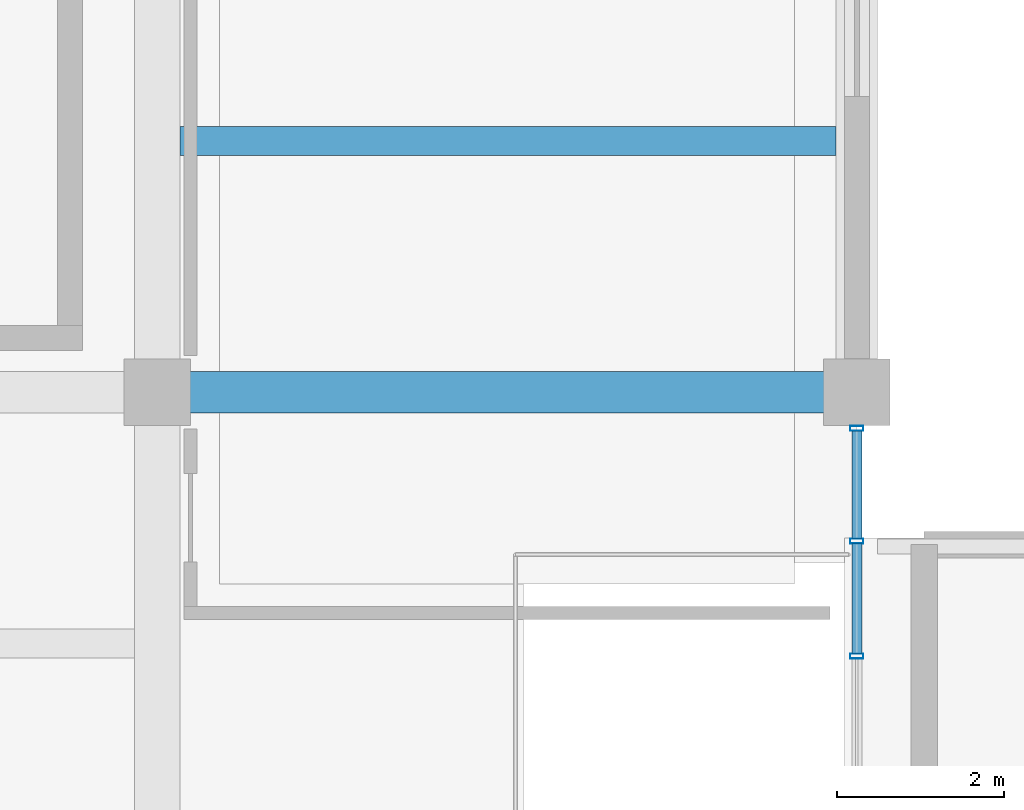
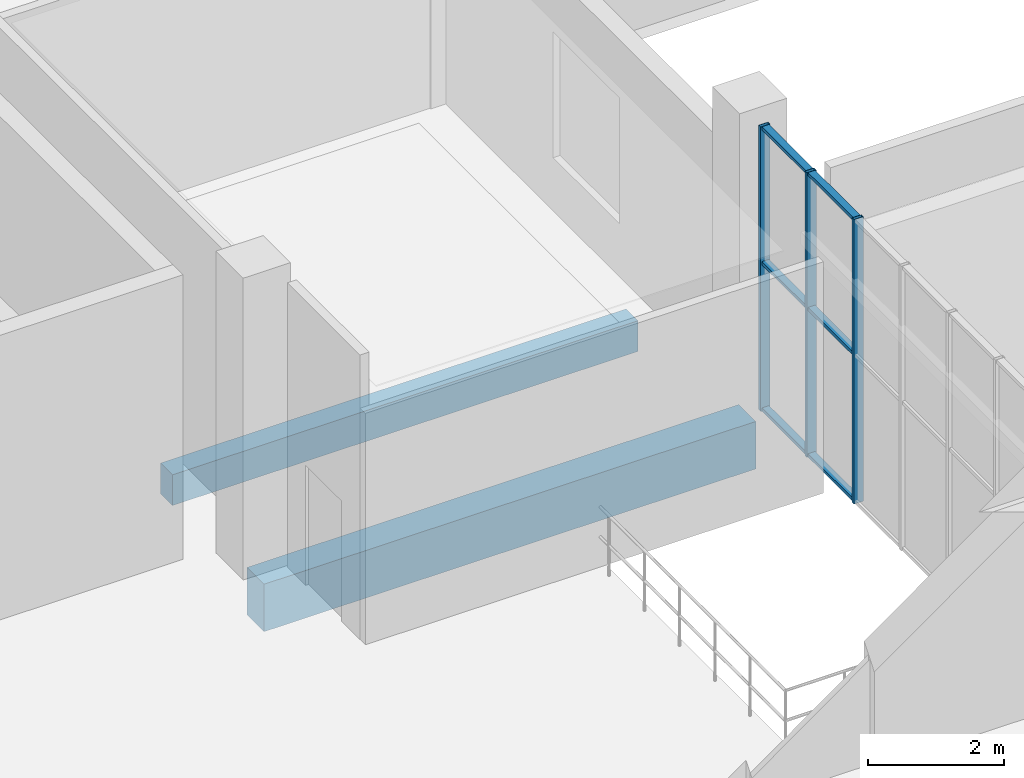
# One storey, part 24 of 91: 9 members, 2 beams, 1 element without a shape of its own.
"""IFC4 building model written with IfcOpenShell, lengths in metres."""

from ifc_helpers import new_model, si_unit, direction, frame, origin, origin_2d, place, context, subcontext, project, spatial, rectangle, hollow_rectangle, extrude, material, material_profile, profile_set, type_object, element, aggregate, save


model = new_model("IFC4")

# Units and contexts
model_context = context("Model", 3, precision=1e-05, world=origin(), true_north=direction((0.0, 1.0)))
body_context = subcontext(model_context, "Body", "Model", "MODEL_VIEW")
ifc_project = project(units=[si_unit("LENGTHUNIT", "METRE"), si_unit("AREAUNIT", "SQUARE_METRE"), si_unit("VOLUMEUNIT", "CUBIC_METRE"), si_unit("PLANEANGLEUNIT", "RADIAN"), si_unit("MASSUNIT", "GRAM", prefix="KILO")], contexts=[model_context])

# Site, building, storey
site_placement = place(None, origin())
site = spatial("IfcSite", under=ifc_project, at=site_placement, CompositionType="ELEMENT")
building_placement = place(site_placement, origin())
building = spatial("IfcBuilding", under=site, at=building_placement, Name="Khurvash Pelagic Aquarium", CompositionType="ELEMENT")
storey_placement = place(building_placement, origin())
storey = spatial("IfcBuildingStorey", under=building, at=storey_placement, Name="L00", CompositionType="ELEMENT", Elevation=0.0)

# Beam
ifc_material_1 = material(Name="Concrete C40/50", Category="concrete")
ifc_material_profile_1 = material_profile(ifc_material_1, rectangle(XDim=0.5, YDim=0.85009765625, at=origin_2d()), Name="RC500X850")
ifc_profile_set_1 = profile_set([ifc_material_profile_1], Name="Concrete C40/50")
beam_type_1 = type_object("IfcBeamType", Name="BM-03", PredefinedType="BEAM", material=ifc_profile_set_1)
beam_1_placement = place(storey_placement, frame((100.840087890625, 11.64990234375, -0.7451171875), z_axis=(1.0, 0.0, 0.0), x_axis=(0.0, 1.0, 0.0)))
element("IfcBeam", 1, at=beam_1_placement, inside=storey, type_object=beam_type_1, Name="L00 Primary Girder BM-03 00020", PredefinedType="BEAM", context=body_context, shape_type="SweptSolid", body=[
    extrude(rectangle(XDim=0.5, YDim=0.85009765625, at=origin_2d()), origin(), (0.0, 0.0, 1.0), 8.31982421875),
])

# Curtain wall, members
ifc_material_2 = material(Name="Anodised aluminium and low-E laminated glass", Category="aluminium")
curtain_wall_type = type_object("IfcCurtainWallType", Name="CW-05", PredefinedType="USERDEFINED", material=ifc_material_2)
curtain_wall_placement = place(storey_placement, origin())
curtain_wall = element("IfcCurtainWall", 2, at=curtain_wall_placement, inside=storey, type_object=curtain_wall_type, Name="L00 Facade Unitised Curtain Wall CW-05 0059", ObjectType="UNITISED CURTAIN WALL", PredefinedType="USERDEFINED")
ifc_material_3 = material(Name="Extruded aluminium AW-6063-T6", Category="aluminium")
ifc_material_profile_2 = material_profile(ifc_material_3, hollow_rectangle(XDim=0.06005859375, YDim=0.159912109375, WallThickness=0.00390625, at=origin_2d()), Name="CWM60X160X4")
ifc_profile_set_2 = profile_set([ifc_material_profile_2], Name="Extruded aluminium AW-6063-T6")
member_type_1 = type_object("IfcMemberType", Name="CM-02", PredefinedType="MULLION", material=ifc_profile_set_2)
member_1_placement = place(storey_placement, frame((109.199951171875, 8.481689453125, 0.0), z_axis=(0.0, 0.0, 1.0), x_axis=(0.0, 1.0, 0.0)))
member_1 = element("IfcMember", 3, at=member_1_placement, type_object=member_type_1, Name="CW-05 mullion 5", PredefinedType="MULLION", context=body_context, shape_type="SweptSolid", body=[
    extrude(hollow_rectangle(XDim=0.06005859375, YDim=0.159912109375, WallThickness=0.00390625, at=origin_2d()), origin(), (0.0, 0.0, 1.0), 5.090087890625),
])
member_2_placement = place(storey_placement, frame((109.199951171875, 9.86328125, 0.0), z_axis=(0.0, 0.0, 1.0), x_axis=(0.0, 1.0, 0.0)))
member_2 = element("IfcMember", 4, at=member_2_placement, type_object=member_type_1, Name="CW-05 mullion 6", PredefinedType="MULLION", context=body_context, shape_type="SweptSolid", body=[
    extrude(hollow_rectangle(XDim=0.06005859375, YDim=0.159912109375, WallThickness=0.00390625, at=origin_2d()), origin(), (0.0, 0.0, 1.0), 5.090087890625),
])
member_3_placement = place(storey_placement, frame((109.199951171875, 11.215087890625, 0.0), z_axis=(0.0, 0.0, 1.0), x_axis=(0.0, 1.0, 0.0)))
member_3 = element("IfcMember", 5, at=member_3_placement, type_object=member_type_1, Name="CW-05 mullion 7", PredefinedType="MULLION", context=body_context, shape_type="SweptSolid", body=[
    extrude(hollow_rectangle(XDim=0.06005859375, YDim=0.159912109375, WallThickness=0.00390625, at=origin_2d()), origin(), (0.0, 0.0, 1.0), 5.090087890625),
])
ifc_material_profile_3 = material_profile(ifc_material_3, hollow_rectangle(XDim=0.1201171875, YDim=0.06005859375, WallThickness=0.00390625, at=origin_2d()), Name="CWT120X60X4")
ifc_profile_set_3 = profile_set([ifc_material_profile_3], Name="Extruded aluminium AW-6063-T6")
member_type_2 = type_object("IfcMemberType", Name="CT-02", PredefinedType="USERDEFINED", material=ifc_profile_set_3)
member_4_placement = place(storey_placement, frame((109.199951171875, 8.51171875, 0.030029296875), z_axis=(0.0, 1.0, 0.0), x_axis=(-1.0, 0.0, 0.0)))
member_4 = element("IfcMember", 6, at=member_4_placement, type_object=member_type_2, Name="CW-05 transom 5.1", ObjectType="TRANSOM", PredefinedType="USERDEFINED", context=body_context, shape_type="SweptSolid", body=[
    extrude(hollow_rectangle(XDim=0.1201171875, YDim=0.06005859375, WallThickness=0.00390625, at=origin_2d()), origin(), (0.0, 0.0, 1.0), 1.321533203125),
])
member_5_placement = place(storey_placement, frame((109.199951171875, 8.51171875, 2.64697265625), z_axis=(0.0, 1.0, 0.0), x_axis=(-1.0, 0.0, 0.0)))
member_5 = element("IfcMember", 7, at=member_5_placement, type_object=member_type_2, Name="CW-05 transom 5.2", ObjectType="TRANSOM", PredefinedType="USERDEFINED", context=body_context, shape_type="SweptSolid", body=[
    extrude(hollow_rectangle(XDim=0.1201171875, YDim=0.06005859375, WallThickness=0.00390625, at=origin_2d()), origin(), (0.0, 0.0, 1.0), 1.321533203125),
])
member_6_placement = place(storey_placement, frame((109.199951171875, 8.51171875, 5.06005859375), z_axis=(0.0, 1.0, 0.0), x_axis=(-1.0, 0.0, 0.0)))
member_6 = element("IfcMember", 8, at=member_6_placement, type_object=member_type_2, Name="CW-05 transom 5.3", ObjectType="TRANSOM", PredefinedType="USERDEFINED", context=body_context, shape_type="SweptSolid", body=[
    extrude(hollow_rectangle(XDim=0.1201171875, YDim=0.06005859375, WallThickness=0.00390625, at=origin_2d()), origin(), (0.0, 0.0, 1.0), 1.321533203125),
])
member_7_placement = place(storey_placement, frame((109.199951171875, 9.893310546875, 0.030029296875), z_axis=(0.0, 1.0, 0.0), x_axis=(-1.0, 0.0, 0.0)))
member_7 = element("IfcMember", 9, at=member_7_placement, type_object=member_type_2, Name="CW-05 transom 6.1", ObjectType="TRANSOM", PredefinedType="USERDEFINED", context=body_context, shape_type="SweptSolid", body=[
    extrude(hollow_rectangle(XDim=0.1201171875, YDim=0.06005859375, WallThickness=0.00390625, at=origin_2d()), origin(), (0.0, 0.0, 1.0), 1.291748046875),
])
member_8_placement = place(storey_placement, frame((109.199951171875, 9.893310546875, 2.64697265625), z_axis=(0.0, 1.0, 0.0), x_axis=(-1.0, 0.0, 0.0)))
member_8 = element("IfcMember", 10, at=member_8_placement, type_object=member_type_2, Name="CW-05 transom 6.2", ObjectType="TRANSOM", PredefinedType="USERDEFINED", context=body_context, shape_type="SweptSolid", body=[
    extrude(hollow_rectangle(XDim=0.1201171875, YDim=0.06005859375, WallThickness=0.00390625, at=origin_2d()), origin(), (0.0, 0.0, 1.0), 1.291748046875),
])
member_9_placement = place(storey_placement, frame((109.199951171875, 9.893310546875, 5.06005859375), z_axis=(0.0, 1.0, 0.0), x_axis=(-1.0, 0.0, 0.0)))
member_9 = element("IfcMember", 11, at=member_9_placement, type_object=member_type_2, Name="CW-05 transom 6.3", ObjectType="TRANSOM", PredefinedType="USERDEFINED", context=body_context, shape_type="SweptSolid", body=[
    extrude(hollow_rectangle(XDim=0.1201171875, YDim=0.06005859375, WallThickness=0.00390625, at=origin_2d()), origin(), (0.0, 0.0, 1.0), 1.291748046875),
])
aggregate(curtain_wall, [member_1, member_2, member_3, member_4, member_5, member_6, member_7, member_8, member_9])

# Beam
ifc_material_4 = material(Name="Concrete C35/45", Category="concrete")
ifc_material_profile_4 = material_profile(ifc_material_4, rectangle(XDim=0.35009765625, YDim=0.550048828125, at=origin_2d()), Name="RC350X550")
ifc_profile_set_4 = profile_set([ifc_material_profile_4], Name="Concrete C35/45")
beam_type_2 = type_object("IfcBeamType", Name="JS-01", PredefinedType="JOIST", material=ifc_profile_set_4)
beam_2_placement = place(storey_placement, frame((101.074951171875, 14.6669921875, -0.594970703125), z_axis=(1.0, 0.0, 0.0), x_axis=(0.0, 1.0, 0.0)))
element("IfcBeam", 12, at=beam_2_placement, inside=storey, type_object=beam_type_2, Name="L00 Floor Joist JS-01 00227", PredefinedType="JOIST", context=body_context, shape_type="SweptSolid", body=[
    extrude(rectangle(XDim=0.35009765625, YDim=0.550048828125, at=origin_2d()), origin(), (0.0, 0.0, 1.0), 7.875),
])

save(model, "model.ifc")
